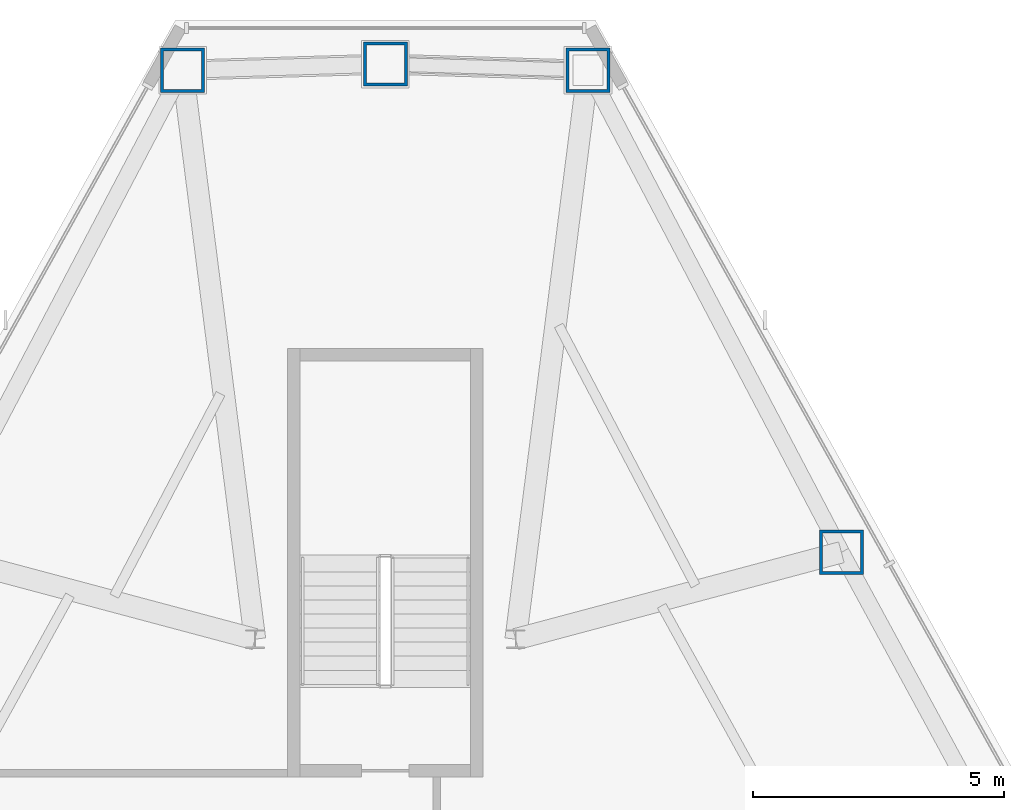
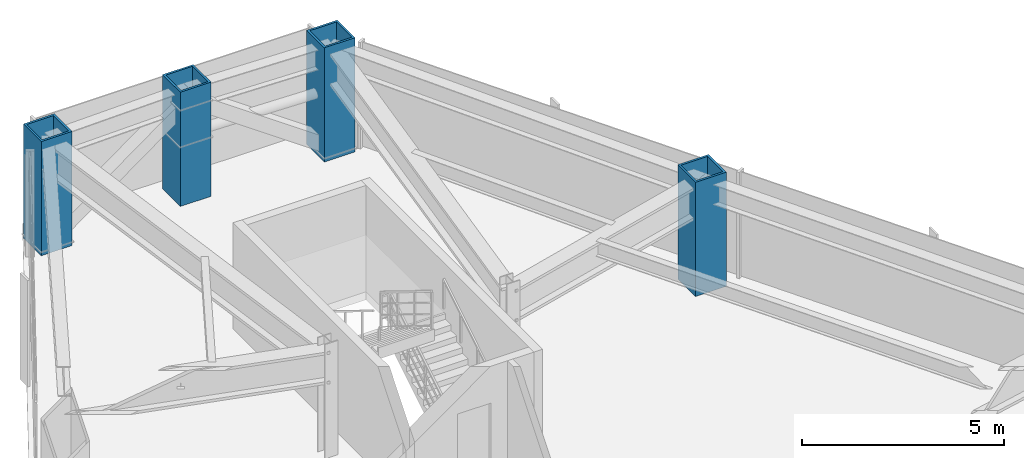
# One storey, part 3 of 13: 4 columns.
"""IFC4 building model written with IfcOpenShell, lengths in metres."""

from ifc_helpers import new_model, si_unit, direction, frame, origin, origin_2d, place, context, subcontext, project, spatial, hollow_rectangle, extrude, material, material_profile, profile_set, type_object, element, save


model = new_model("IFC4")

# Units and contexts
model_context = context("Model", 3, precision=1e-05, world=origin(), true_north=direction((0.0, 1.0)))
body_context = subcontext(model_context, "Body", "Model", "MODEL_VIEW")
ifc_project = project(units=[si_unit("LENGTHUNIT", "METRE"), si_unit("AREAUNIT", "SQUARE_METRE"), si_unit("VOLUMEUNIT", "CUBIC_METRE"), si_unit("PLANEANGLEUNIT", "RADIAN"), si_unit("MASSUNIT", "GRAM", prefix="KILO")], contexts=[model_context])

# Site, building, storey
site_placement = place(None, origin())
site = spatial("IfcSite", under=ifc_project, at=site_placement, CompositionType="ELEMENT")
building_placement = place(site_placement, origin())
building = spatial("IfcBuilding", under=site, at=building_placement, Name="Varakhsha Concourse Tower", CompositionType="ELEMENT")
storey_placement = place(building_placement, frame((0.0, 0.0, 147.050048828125)))
storey = spatial("IfcBuildingStorey", under=building, at=storey_placement, Name="L42", CompositionType="ELEMENT", Elevation=147.050048828125)

# Columns
ifc_material = material(Name="Structural Steel ASTM A572 Grade 50", Category="steel")
ifc_material_profile = material_profile(ifc_material, hollow_rectangle(XDim=0.8798828125, YDim=0.8798828125, WallThickness=0.06005859375, at=origin_2d()), Name="BOX 880x880x60")
ifc_profile_set = profile_set([ifc_material_profile], Name="Structural Steel ASTM A572 Grade 50")
column_type = type_object("IfcColumnType", Name="CL-TUBE-880", PredefinedType="COLUMN", material=ifc_profile_set)
for number, where, z_axis, x_axis, name in (
    (1, (44.042724609375, 52.54833984375, 0.0), (0.0, 0.0, 1.0), (1.0, 0.0, 0.0), "L42 Framed-Tube Column TC01"),
    (2, (40.0, 52.670166015625, 0.0), (0.0, 0.0, 1.0), (1.0, 0.0, 0.0), "L42 Framed-Tube Column TC02"),
    (3, (35.957275390625, 52.54833984375, 0.0), (0.0, 0.0, 1.0), (1.0, 0.0, 0.0), "L42 Framed-Tube Column TC03"),
    (4, (49.09619140625, 42.933837890625, 0.0), (0.0, 0.0, 1.0), (1.0, 0.0, 0.0), "L42 Framed-Tube Column TC18"),
):
    element("IfcColumn", number, at=place(storey_placement, frame(where, z_axis=z_axis, x_axis=x_axis)), inside=storey, type_object=column_type, Name=name, PredefinedType="COLUMN", context=body_context, shape_type="SweptSolid", body=[
        extrude(hollow_rectangle(XDim=0.8798828125, YDim=0.8798828125, WallThickness=0.06005859375, at=origin_2d()), origin(), (0.0, 0.0, 1.0), 3.449951171875),
    ])

save(model, "model.ifc")
